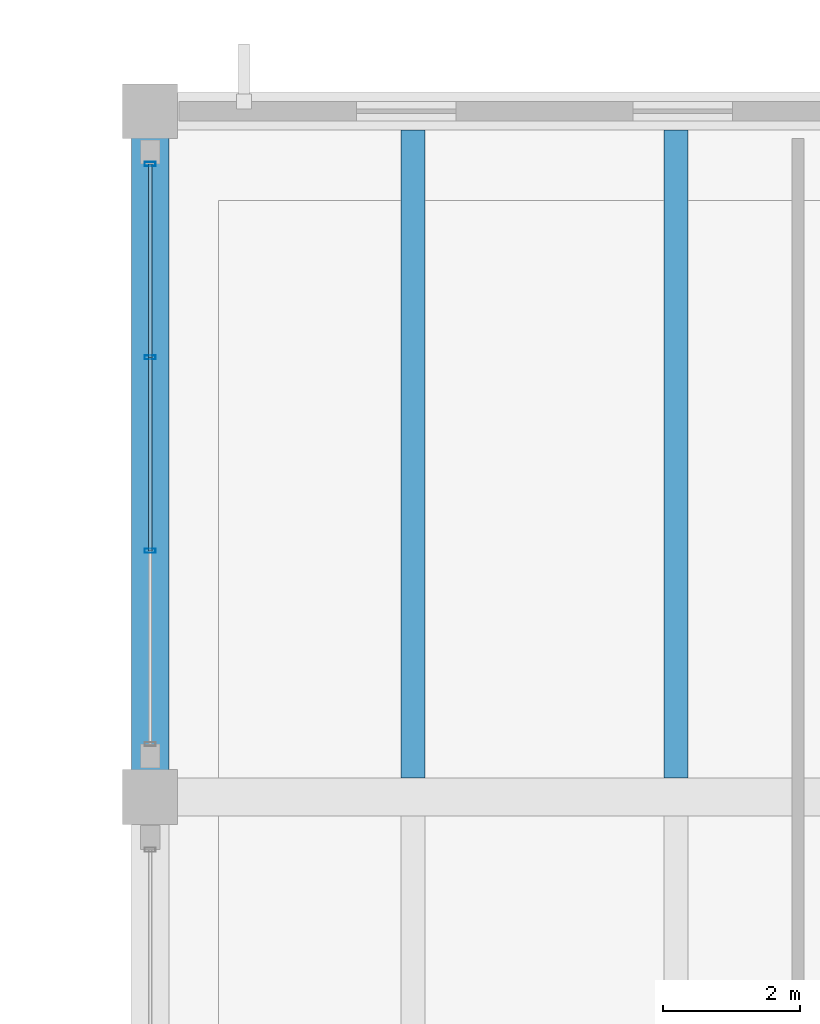
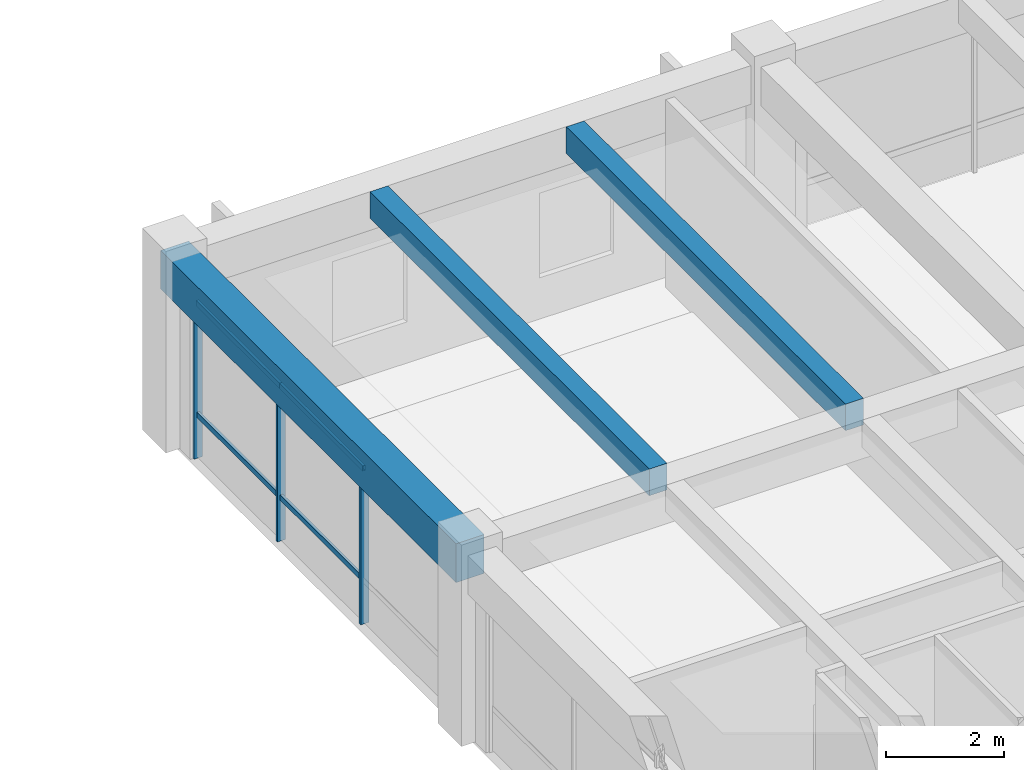
# One storey, part 15 of 33: 7 members, 3 beams, 1 element without a shape of its own.
"""IFC4 building model written with IfcOpenShell, lengths in metres."""

from ifc_helpers import new_model, si_unit, direction, frame, origin, origin_2d, place, context, subcontext, project, spatial, rectangle, hollow_rectangle, extrude, material, material_profile, profile_set, type_object, element, aggregate, save


model = new_model("IFC4")

# Units and contexts
model_context = context("Model", 3, precision=1e-05, world=origin(), true_north=direction((0.0, 1.0)))
body_context = subcontext(model_context, "Body", "Model", "MODEL_VIEW")
ifc_project = project(units=[si_unit("LENGTHUNIT", "METRE"), si_unit("AREAUNIT", "SQUARE_METRE"), si_unit("VOLUMEUNIT", "CUBIC_METRE"), si_unit("PLANEANGLEUNIT", "RADIAN"), si_unit("MASSUNIT", "GRAM", prefix="KILO")], contexts=[model_context])

# Site, building, storey
site_placement = place(None, origin())
site = spatial("IfcSite", under=ifc_project, at=site_placement, CompositionType="ELEMENT")
building_placement = place(site_placement, origin())
building = spatial("IfcBuilding", under=site, at=building_placement, Name="Ologun Quay Terminus", CompositionType="ELEMENT")
storey_placement = place(building_placement, frame((0.0, 0.0, 18.300048828125)))
storey = spatial("IfcBuildingStorey", under=building, at=storey_placement, Name="L04", CompositionType="ELEMENT", Elevation=18.300048828125)

# Curtain wall, members
ifc_material_1 = material(Name="Aluminium 6063-T6", Category="aluminium")
curtain_wall_type = type_object("IfcCurtainWallType", Name="Rain-Garden East Courtyard Curtain Wall L04 9200x3800", PredefinedType="USERDEFINED", material=ifc_material_1)
curtain_wall_placement = place(storey_placement, origin())
curtain_wall = element("IfcCurtainWall", 1, at=curtain_wall_placement, inside=storey, type_object=curtain_wall_type, Name="CW-21 Curtain Wall CW-L04-151", ObjectType="UNITISED CURTAIN WALL", PredefinedType="USERDEFINED")
ifc_material_2 = material(Name="Aluminium 6063-T6", Category="aluminium")
ifc_material_profile_1 = material_profile(ifc_material_2, hollow_rectangle(XDim=0.06005859375, YDim=0.159912109375, WallThickness=0.00390625, at=origin_2d()), Name="ALU 160x60x4")
ifc_profile_set_1 = profile_set([ifc_material_profile_1], Name="Aluminium 6063-T6")
member_type_1 = type_object("IfcMemberType", Name="Courtyard Screen Mullion 160x65", PredefinedType="MULLION", material=ifc_profile_set_1)
member_1_placement = place(storey_placement, frame((115.0, 108.389892578125, 0.0), z_axis=(0.0, 0.0, 1.0), x_axis=(0.0, 1.0, 0.0)))
member_1 = element("IfcMember", 2, at=member_1_placement, type_object=member_type_1, Name="CW-L04-151 Mullion 2", PredefinedType="MULLION", context=body_context, shape_type="SweptSolid", body=[
    extrude(hollow_rectangle(XDim=0.06005859375, YDim=0.159912109375, WallThickness=0.00390625, at=origin_2d()), origin(), (0.0, 0.0, 1.0), 3.889892578125),
])
member_2_placement = place(storey_placement, frame((115.0, 111.2099609375, 0.0), z_axis=(0.0, 0.0, 1.0), x_axis=(0.0, 1.0, 0.0)))
member_2 = element("IfcMember", 3, at=member_2_placement, type_object=member_type_1, Name="CW-L04-151 Mullion 3", PredefinedType="MULLION", context=body_context, shape_type="SweptSolid", body=[
    extrude(hollow_rectangle(XDim=0.06005859375, YDim=0.159912109375, WallThickness=0.00390625, at=origin_2d()), origin(), (0.0, 0.0, 1.0), 3.889892578125),
])
member_3_placement = place(storey_placement, frame((115.0, 114.030029296875, 0.0), z_axis=(0.0, 0.0, 1.0), x_axis=(0.0, 1.0, 0.0)))
member_3 = element("IfcMember", 4, at=member_3_placement, type_object=member_type_1, Name="CW-L04-151 Mullion 4", PredefinedType="MULLION", context=body_context, shape_type="SweptSolid", body=[
    extrude(hollow_rectangle(XDim=0.06005859375, YDim=0.159912109375, WallThickness=0.00390625, at=origin_2d()), origin(), (0.0, 0.0, 1.0), 3.889892578125),
])
ifc_material_3 = material(Name="Aluminium 6063-T6", Category="aluminium")
ifc_material_profile_2 = material_profile(ifc_material_3, hollow_rectangle(XDim=0.054931640625, YDim=0.110107421875, WallThickness=0.00390625, at=origin_2d()), Name="ALU 110x55x4")
ifc_profile_set_2 = profile_set([ifc_material_profile_2], Name="Aluminium 6063-T6")
member_type_2 = type_object("IfcMemberType", Name="Courtyard Screen Transom 110x55", PredefinedType="USERDEFINED", material=ifc_profile_set_2)
member_4_placement = place(storey_placement, frame((115.0, 108.389892578125, 0.89990234375), z_axis=(0.0, 1.0, 0.0), x_axis=(-1.0, 0.0, 0.0)))
member_4 = element("IfcMember", 5, at=member_4_placement, type_object=member_type_2, Name="CW-L04-151 Transom B2-1", ObjectType="TRANSOM", PredefinedType="USERDEFINED", context=body_context, shape_type="SweptSolid", body=[
    extrude(hollow_rectangle(XDim=0.054931640625, YDim=0.110107421875, WallThickness=0.00390625, at=origin_2d()), origin(), (0.0, 0.0, 1.0), 2.820068359375),
])
member_5_placement = place(storey_placement, frame((115.0, 108.389892578125, 3.18994140625), z_axis=(0.0, 1.0, 0.0), x_axis=(-1.0, 0.0, 0.0)))
member_5 = element("IfcMember", 6, at=member_5_placement, type_object=member_type_2, Name="CW-L04-151 Transom B2-2", ObjectType="TRANSOM", PredefinedType="USERDEFINED", context=body_context, shape_type="SweptSolid", body=[
    extrude(hollow_rectangle(XDim=0.054931640625, YDim=0.110107421875, WallThickness=0.00390625, at=origin_2d()), origin(), (0.0, 0.0, 1.0), 2.820068359375),
])
member_6_placement = place(storey_placement, frame((115.0, 111.2099609375, 0.89990234375), z_axis=(0.0, 1.0, 0.0), x_axis=(-1.0, 0.0, 0.0)))
member_6 = element("IfcMember", 7, at=member_6_placement, type_object=member_type_2, Name="CW-L04-151 Transom B3-1", ObjectType="TRANSOM", PredefinedType="USERDEFINED", context=body_context, shape_type="SweptSolid", body=[
    extrude(hollow_rectangle(XDim=0.054931640625, YDim=0.110107421875, WallThickness=0.00390625, at=origin_2d()), origin(), (0.0, 0.0, 1.0), 2.820068359375),
])
member_7_placement = place(storey_placement, frame((115.0, 111.2099609375, 3.18994140625), z_axis=(0.0, 1.0, 0.0), x_axis=(-1.0, 0.0, 0.0)))
member_7 = element("IfcMember", 8, at=member_7_placement, type_object=member_type_2, Name="CW-L04-151 Transom B3-2", ObjectType="TRANSOM", PredefinedType="USERDEFINED", context=body_context, shape_type="SweptSolid", body=[
    extrude(hollow_rectangle(XDim=0.054931640625, YDim=0.110107421875, WallThickness=0.00390625, at=origin_2d()), origin(), (0.0, 0.0, 1.0), 2.820068359375),
])
aggregate(curtain_wall, [member_1, member_2, member_3, member_4, member_5, member_6, member_7])

# Beams
ifc_material_4 = material(Name="Concrete C40/50", Category="concrete")
ifc_material_profile_3 = material_profile(ifc_material_4, rectangle(XDim=0.550048828125, YDim=0.800048828125, at=origin_2d()), Name="RC 550x800")
ifc_profile_set_3 = profile_set([ifc_material_profile_3], Name="Concrete C40/50")
beam_type_1 = type_object("IfcBeamType", Name="Courtyard Wing Primary Girder 550x800", PredefinedType="BEAM", material=ifc_profile_set_3)
beam_placement = place(storey_placement, frame((115.0, 104.800048828125, 3.5), z_axis=(0.0, 1.0, 0.0), x_axis=(-1.0, 0.0, 0.0)))
element("IfcBeam", 9, at=beam_placement, inside=storey, type_object=beam_type_1, Name="B4 Beam 11/J L04", PredefinedType="BEAM", context=body_context, shape_type="SweptSolid", body=[
    extrude(rectangle(XDim=0.550048828125, YDim=0.800048828125, at=origin_2d()), origin(), (0.0, 0.0, 1.0), 10.0),
])
ifc_material_5 = material(Name="Concrete C40/50", Category="concrete")
ifc_material_profile_4 = material_profile(ifc_material_5, rectangle(XDim=0.35009765625, YDim=0.550048828125, at=origin_2d()), Name="RC 350x550")
ifc_profile_set_4 = profile_set([ifc_material_profile_4], Name="Concrete C40/50")
beam_type_2 = type_object("IfcBeamType", Name="Courtyard Wing Secondary Joist 350x550", PredefinedType="JOIST", material=ifc_profile_set_4)
for number, where, z_axis, x_axis, name in (
    (10, (118.833251953125, 105.074951171875, 3.625), (0.0, 1.0, 0.0), (-1.0, 0.0, 0.0), "J2 Beam 11/J L04"),
    (11, (122.666748046875, 105.074951171875, 3.625), (0.0, 1.0, 0.0), (-1.0, 0.0, 0.0), "J2 Beam 11/J L04"),
):
    element("IfcBeam", number, at=place(storey_placement, frame(where, z_axis=z_axis, x_axis=x_axis)), inside=storey, type_object=beam_type_2, Name=name, PredefinedType="JOIST", context=body_context, shape_type="SweptSolid", body=[
        extrude(rectangle(XDim=0.35009765625, YDim=0.550048828125, at=origin_2d()), origin(), (0.0, 0.0, 1.0), 9.449951171875),
    ])

save(model, "model.ifc")
